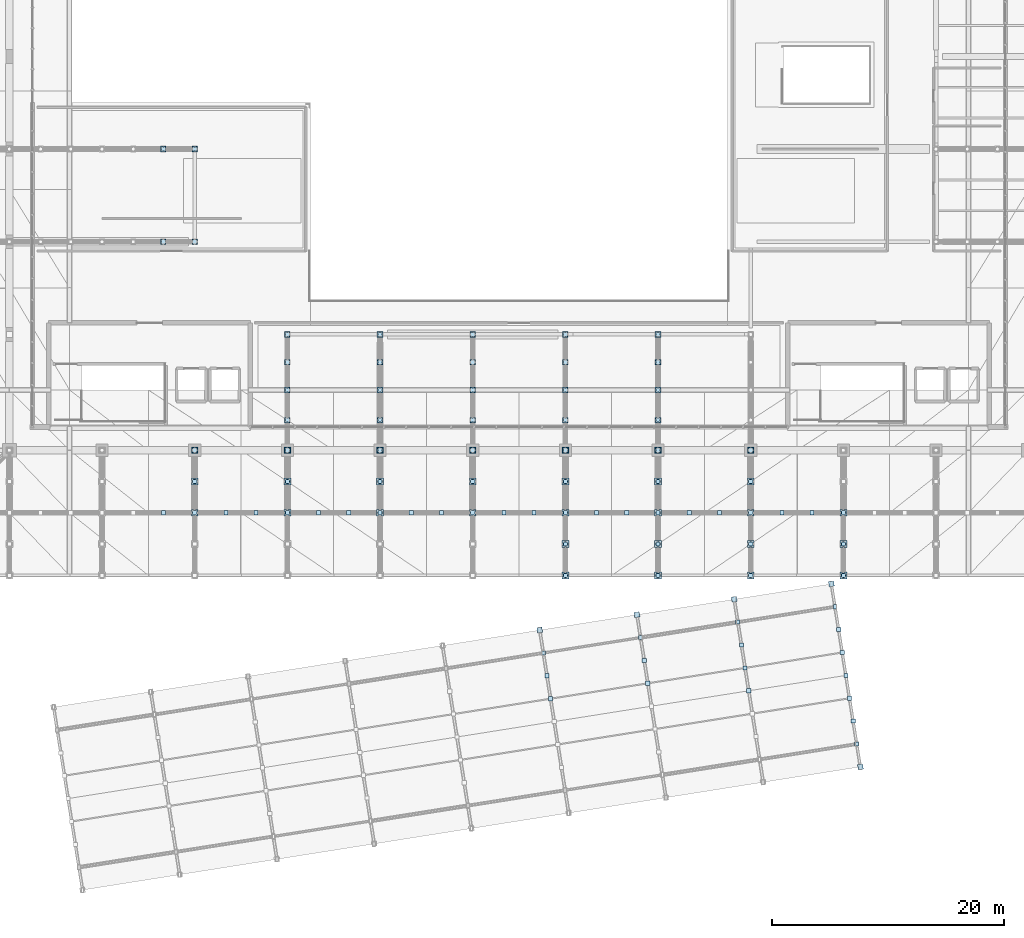
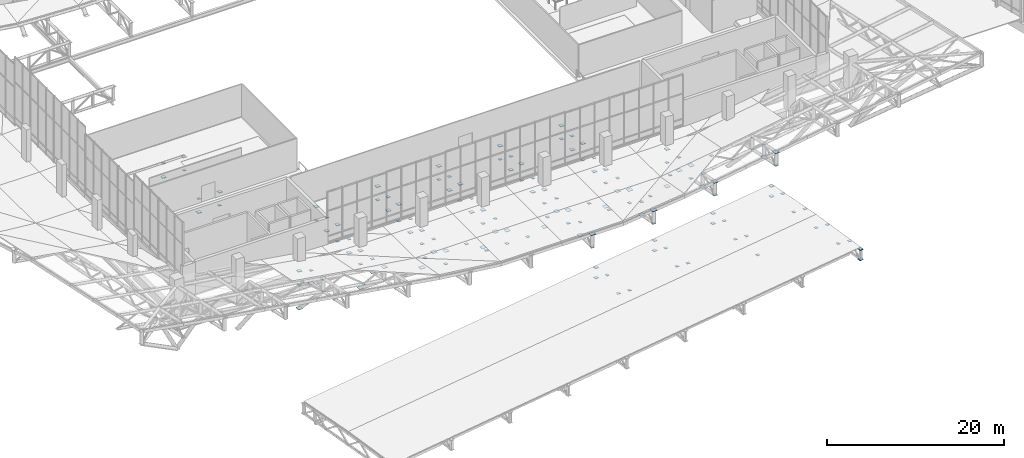
# One storey, part 115 of 137: 157 plates.
"""IFC4 building model written with IfcOpenShell, lengths in metres."""

from ifc_helpers import new_model, si_unit, direction, frame, origin, origin_2d, place, context, subcontext, project, spatial, rectangle, extrude, material, layer, layer_set, type_object, element, save


model = new_model("IFC4")

# Units and contexts
model_context = context("Model", 3, precision=1e-05, world=origin(), true_north=direction((0.0, 1.0)))
body_context = subcontext(model_context, "Body", "Model", "MODEL_VIEW")
ifc_project = project(units=[si_unit("LENGTHUNIT", "METRE"), si_unit("AREAUNIT", "SQUARE_METRE"), si_unit("VOLUMEUNIT", "CUBIC_METRE"), si_unit("PLANEANGLEUNIT", "RADIAN"), si_unit("MASSUNIT", "GRAM", prefix="KILO")], contexts=[model_context])

# Site, building, storey
site_placement = place(None, origin())
site = spatial("IfcSite", under=ifc_project, at=site_placement, CompositionType="ELEMENT")
building_placement = place(site_placement, origin())
building = spatial("IfcBuilding", under=site, at=building_placement, Name="Khorjan Park Terminus", CompositionType="ELEMENT")
storey_placement = place(building_placement, frame((0.0, 0.0, 11.4)))
storey = spatial("IfcBuildingStorey", under=building, at=storey_placement, Name="L02", CompositionType="ELEMENT", Elevation=11.4)

# Plates
ifc_material = material(Name="Steel S355", Category="steel")
ifc_layer_1 = layer(ifc_material, 0.02)
ifc_layer_set_1 = layer_set([ifc_layer_1], Name="Steel S355")
plate_type_1 = type_object("IfcPlateType", Name="PT-CAPE-20", PredefinedType="SHEET", material=ifc_layer_set_1)
for number, where, z_axis, x_axis, name in (
    (1, (93.7867, 10.4761, -2.01), (0.0, 0.0, 1.0), (0.987688340595, 0.15643446504, 0.0), "Steel truss node cap plate NPE-20 (RC2-NP-V3-T06-NB)"),
    (2, (93.7867, 10.4761, -0.61), (0.0, 0.0, 1.0), (0.987688340595, 0.15643446504, 0.0), "Steel truss node cap plate NPE-20 (RC2-NP-V3-T06-NT)"),
    (3, (102.182, 11.8058, -2.01), (0.0, 0.0, 1.0), (0.987688340595, 0.15643446504, 0.0), "Steel truss node cap plate NPE-20 (RC2-NP-V3-T07-NB)"),
    (4, (102.182, 11.8058, -0.61), (0.0, 0.0, 1.0), (0.987688340595, 0.15643446504, 0.0), "Steel truss node cap plate NPE-20 (RC2-NP-V3-T07-NT)"),
    (5, (110.5774, 13.1355, -2.01), (0.0, 0.0, 1.0), (0.987688340595, 0.15643446504, 0.0), "Steel truss node cap plate NPE-20 (RC2-NP-V3-T08-NB)"),
    (6, (110.5774, 13.1355, -0.61), (0.0, 0.0, 1.0), (0.987688340595, 0.15643446504, 0.0), "Steel truss node cap plate NPE-20 (RC2-NP-V3-T08-NT)"),
    (7, (121.4757, -1.3378, -2.01), (0.0, 0.0, 1.0), (0.987688340595, 0.15643446504, 0.0), "Steel truss node cap plate NPE-20 (RC2-NP-V3-T09-SB)"),
    (8, (121.4757, -1.3378, -0.61), (0.0, 0.0, 1.0), (0.987688340595, 0.15643446504, 0.0), "Steel truss node cap plate NPE-20 (RC2-NP-V3-T09-ST)"),
    (9, (118.9727, 14.4652, -2.01), (0.0, 0.0, 1.0), (0.987688340595, 0.15643446504, 0.0), "Steel truss node cap plate NPE-20 (RC2-NP-V3-T09-NB)"),
    (10, (118.9727, 14.4652, -0.61), (0.0, 0.0, 1.0), (0.987688340595, 0.15643446504, 0.0), "Steel truss node cap plate NPE-20 (RC2-NP-V3-T09-NT)"),
):
    element("IfcPlate", number, at=place(storey_placement, frame(where, z_axis=z_axis, x_axis=x_axis)), inside=storey, type_object=plate_type_1, Name=name, PredefinedType="SHEET", context=body_context, shape_type="SweptSolid", body=[
        extrude(rectangle(XDim=0.45, YDim=0.45, at=origin_2d()), origin(), (0.0, 0.0, 1.0), 0.02),
    ])
ifc_layer_2 = layer(ifc_material, 0.022)
ifc_layer_set_2 = layer_set([ifc_layer_2], Name="Steel S355")
plate_type_2 = type_object("IfcPlateType", Name="PT-GUS-22", PredefinedType="SHEET", material=ifc_layer_set_2)
plate_placement = place(storey_placement, frame((64.0, 26.0, -0.061), z_axis=(0.0, 0.0, 1.0), x_axis=(1.0, 0.0, 0.0)))
element("IfcPlate", 11, at=plate_placement, inside=storey, type_object=plate_type_2, Name="Steel truss node cap plate NP-22 (RC2-GUS-END-0549)", PredefinedType="SHEET", context=body_context, shape_type="SweptSolid", body=[
    extrude(rectangle(XDim=0.49, YDim=0.49, at=origin_2d()), origin(), (0.0, 0.0, 1.0), 0.022),
])
for number, where, z_axis, x_axis, name in (
    (12, (72.0, 28.6, -0.061), (0.0, 0.0, 1.0), (1.0, 0.0, 0.0), "Steel truss node cap plate NP-22 (RC2-GUS-END-0575)"),
    (13, (72.0, 31.2, -1.931), (0.0, 0.0, 1.0), (1.0, 0.0, 0.0), "Steel truss node cap plate NP-22 (RC2-GUS-END-0576)"),
    (14, (72.0, 33.6, -0.061), (0.0, 0.0, 1.0), (1.0, 0.0, 0.0), "Steel truss node cap plate NP-22 (RC2-GUS-END-0577)"),
    (15, (72.0, 36.0, -1.931), (0.0, 0.0, 1.0), (1.0, 0.0, 0.0), "Steel truss node cap plate NP-22 (RC2-GUS-END-0578)"),
):
    element("IfcPlate", number, at=place(storey_placement, frame(where, z_axis=z_axis, x_axis=x_axis)), inside=storey, type_object=plate_type_2, Name=name, PredefinedType="SHEET", context=body_context, shape_type="SweptSolid", body=[
        extrude(rectangle(XDim=0.36, YDim=0.36, at=origin_2d()), origin(), (0.0, 0.0, 1.0), 0.022),
    ])
for number, where, z_axis, x_axis, name in (
    (16, (72.0, 26.0, -0.061), (0.0, 0.0, 1.0), (1.0, 0.0, 0.0), "Steel truss node cap plate NP-22 (RC2-GUS-END-0583)"),
    (17, (72.0, 28.6, -1.931), (0.0, 0.0, 1.0), (1.0, 0.0, 0.0), "Steel truss node cap plate NP-22 (RC2-GUS-END-0584)"),
    (18, (72.0, 31.2, 0.381), (0.0, 0.0, 1.0), (1.0, 0.0, 0.0), "Steel truss node cap plate NP-22 (RC2-GUS-END-0585)"),
    (19, (72.0, 33.6, -1.931), (0.0, 0.0, 1.0), (1.0, 0.0, 0.0), "Steel truss node cap plate NP-22 (RC2-GUS-END-0586)"),
    (20, (72.0, 36.0, -0.061), (0.0, 0.0, 1.0), (1.0, 0.0, 0.0), "Steel truss node cap plate NP-22 (RC2-GUS-END-0587)"),
):
    element("IfcPlate", number, at=place(storey_placement, frame(where, z_axis=z_axis, x_axis=x_axis)), inside=storey, type_object=plate_type_2, Name=name, PredefinedType="SHEET", context=body_context, shape_type="SweptSolid", body=[
        extrude(rectangle(XDim=0.49, YDim=0.49, at=origin_2d()), origin(), (0.0, 0.0, 1.0), 0.022),
    ])
for number, where, z_axis, x_axis, name in (
    (21, (80.0, 28.6, -0.061), (0.0, 0.0, 1.0), (1.0, 0.0, 0.0), "Steel truss node cap plate NP-22 (RC2-GUS-END-0613)"),
    (22, (80.0, 31.2, -1.931), (0.0, 0.0, 1.0), (1.0, 0.0, 0.0), "Steel truss node cap plate NP-22 (RC2-GUS-END-0614)"),
    (23, (80.0, 33.6, -0.061), (0.0, 0.0, 1.0), (1.0, 0.0, 0.0), "Steel truss node cap plate NP-22 (RC2-GUS-END-0615)"),
    (24, (80.0, 36.0, -1.931), (0.0, 0.0, 1.0), (1.0, 0.0, 0.0), "Steel truss node cap plate NP-22 (RC2-GUS-END-0616)"),
):
    element("IfcPlate", number, at=place(storey_placement, frame(where, z_axis=z_axis, x_axis=x_axis)), inside=storey, type_object=plate_type_2, Name=name, PredefinedType="SHEET", context=body_context, shape_type="SweptSolid", body=[
        extrude(rectangle(XDim=0.36, YDim=0.36, at=origin_2d()), origin(), (0.0, 0.0, 1.0), 0.022),
    ])
for number, where, z_axis, x_axis, name in (
    (25, (80.0, 26.0, -0.061), (0.0, 0.0, 1.0), (1.0, 0.0, 0.0), "Steel truss node cap plate NP-22 (RC2-GUS-END-0621)"),
    (26, (80.0, 28.6, -1.931), (0.0, 0.0, 1.0), (1.0, 0.0, 0.0), "Steel truss node cap plate NP-22 (RC2-GUS-END-0622)"),
    (27, (80.0, 31.2, 0.381), (0.0, 0.0, 1.0), (1.0, 0.0, 0.0), "Steel truss node cap plate NP-22 (RC2-GUS-END-0623)"),
    (28, (80.0, 33.6, -1.931), (0.0, 0.0, 1.0), (1.0, 0.0, 0.0), "Steel truss node cap plate NP-22 (RC2-GUS-END-0624)"),
    (29, (80.0, 36.0, -0.061), (0.0, 0.0, 1.0), (1.0, 0.0, 0.0), "Steel truss node cap plate NP-22 (RC2-GUS-END-0625)"),
):
    element("IfcPlate", number, at=place(storey_placement, frame(where, z_axis=z_axis, x_axis=x_axis)), inside=storey, type_object=plate_type_2, Name=name, PredefinedType="SHEET", context=body_context, shape_type="SweptSolid", body=[
        extrude(rectangle(XDim=0.49, YDim=0.49, at=origin_2d()), origin(), (0.0, 0.0, 1.0), 0.022),
    ])
for number, where, z_axis, x_axis, name in (
    (30, (88.0, 28.6, -0.061), (0.0, 0.0, 1.0), (1.0, 0.0, 0.0), "Steel truss node cap plate NP-22 (RC2-GUS-END-0651)"),
    (31, (88.0, 31.2, -1.931), (0.0, 0.0, 1.0), (1.0, 0.0, 0.0), "Steel truss node cap plate NP-22 (RC2-GUS-END-0652)"),
    (32, (88.0, 33.6, -0.061), (0.0, 0.0, 1.0), (1.0, 0.0, 0.0), "Steel truss node cap plate NP-22 (RC2-GUS-END-0653)"),
    (33, (88.0, 36.0, -1.931), (0.0, 0.0, 1.0), (1.0, 0.0, 0.0), "Steel truss node cap plate NP-22 (RC2-GUS-END-0654)"),
):
    element("IfcPlate", number, at=place(storey_placement, frame(where, z_axis=z_axis, x_axis=x_axis)), inside=storey, type_object=plate_type_2, Name=name, PredefinedType="SHEET", context=body_context, shape_type="SweptSolid", body=[
        extrude(rectangle(XDim=0.36, YDim=0.36, at=origin_2d()), origin(), (0.0, 0.0, 1.0), 0.022),
    ])
for number, where, z_axis, x_axis, name in (
    (34, (88.0, 26.0, -0.061), (0.0, 0.0, 1.0), (1.0, 0.0, 0.0), "Steel truss node cap plate NP-22 (RC2-GUS-END-0659)"),
    (35, (88.0, 28.6, -1.931), (0.0, 0.0, 1.0), (1.0, 0.0, 0.0), "Steel truss node cap plate NP-22 (RC2-GUS-END-0660)"),
    (36, (88.0, 31.2, 0.381), (0.0, 0.0, 1.0), (1.0, 0.0, 0.0), "Steel truss node cap plate NP-22 (RC2-GUS-END-0661)"),
    (37, (88.0, 33.6, -1.931), (0.0, 0.0, 1.0), (1.0, 0.0, 0.0), "Steel truss node cap plate NP-22 (RC2-GUS-END-0662)"),
    (38, (88.0, 36.0, -0.061), (0.0, 0.0, 1.0), (1.0, 0.0, 0.0), "Steel truss node cap plate NP-22 (RC2-GUS-END-0663)"),
):
    element("IfcPlate", number, at=place(storey_placement, frame(where, z_axis=z_axis, x_axis=x_axis)), inside=storey, type_object=plate_type_2, Name=name, PredefinedType="SHEET", context=body_context, shape_type="SweptSolid", body=[
        extrude(rectangle(XDim=0.49, YDim=0.49, at=origin_2d()), origin(), (0.0, 0.0, 1.0), 0.022),
    ])
for number, where, z_axis, x_axis, name in (
    (39, (96.0, 28.6, -0.061), (0.0, 0.0, 1.0), (1.0, 0.0, 0.0), "Steel truss node cap plate NP-22 (RC2-GUS-END-0689)"),
    (40, (96.0, 31.2, -1.931), (0.0, 0.0, 1.0), (1.0, 0.0, 0.0), "Steel truss node cap plate NP-22 (RC2-GUS-END-0690)"),
    (41, (96.0, 33.6, -0.061), (0.0, 0.0, 1.0), (1.0, 0.0, 0.0), "Steel truss node cap plate NP-22 (RC2-GUS-END-0691)"),
    (42, (96.0, 36.0, -1.931), (0.0, 0.0, 1.0), (1.0, 0.0, 0.0), "Steel truss node cap plate NP-22 (RC2-GUS-END-0692)"),
):
    element("IfcPlate", number, at=place(storey_placement, frame(where, z_axis=z_axis, x_axis=x_axis)), inside=storey, type_object=plate_type_2, Name=name, PredefinedType="SHEET", context=body_context, shape_type="SweptSolid", body=[
        extrude(rectangle(XDim=0.36, YDim=0.36, at=origin_2d()), origin(), (0.0, 0.0, 1.0), 0.022),
    ])
for number, where, z_axis, x_axis, name in (
    (43, (96.0, 26.0, -0.061), (0.0, 0.0, 1.0), (1.0, 0.0, 0.0), "Steel truss node cap plate NP-22 (RC2-GUS-END-0697)"),
    (44, (96.0, 28.6, -1.931), (0.0, 0.0, 1.0), (1.0, 0.0, 0.0), "Steel truss node cap plate NP-22 (RC2-GUS-END-0698)"),
    (45, (96.0, 31.2, 0.381), (0.0, 0.0, 1.0), (1.0, 0.0, 0.0), "Steel truss node cap plate NP-22 (RC2-GUS-END-0699)"),
    (46, (96.0, 33.6, -1.931), (0.0, 0.0, 1.0), (1.0, 0.0, 0.0), "Steel truss node cap plate NP-22 (RC2-GUS-END-0700)"),
    (47, (96.0, 36.0, -0.061), (0.0, 0.0, 1.0), (1.0, 0.0, 0.0), "Steel truss node cap plate NP-22 (RC2-GUS-END-0701)"),
):
    element("IfcPlate", number, at=place(storey_placement, frame(where, z_axis=z_axis, x_axis=x_axis)), inside=storey, type_object=plate_type_2, Name=name, PredefinedType="SHEET", context=body_context, shape_type="SweptSolid", body=[
        extrude(rectangle(XDim=0.49, YDim=0.49, at=origin_2d()), origin(), (0.0, 0.0, 1.0), 0.022),
    ])
for number, where, z_axis, x_axis, name in (
    (48, (104.0, 28.6, -0.061), (0.0, 0.0, 1.0), (1.0, 0.0, 0.0), "Steel truss node cap plate NP-22 (RC2-GUS-END-0727)"),
    (49, (104.0, 31.2, -1.931), (0.0, 0.0, 1.0), (1.0, 0.0, 0.0), "Steel truss node cap plate NP-22 (RC2-GUS-END-0728)"),
    (50, (104.0, 33.6, -0.061), (0.0, 0.0, 1.0), (1.0, 0.0, 0.0), "Steel truss node cap plate NP-22 (RC2-GUS-END-0729)"),
    (51, (104.0, 36.0, -1.931), (0.0, 0.0, 1.0), (1.0, 0.0, 0.0), "Steel truss node cap plate NP-22 (RC2-GUS-END-0730)"),
):
    element("IfcPlate", number, at=place(storey_placement, frame(where, z_axis=z_axis, x_axis=x_axis)), inside=storey, type_object=plate_type_2, Name=name, PredefinedType="SHEET", context=body_context, shape_type="SweptSolid", body=[
        extrude(rectangle(XDim=0.36, YDim=0.36, at=origin_2d()), origin(), (0.0, 0.0, 1.0), 0.022),
    ])
for number, where, z_axis, x_axis, name in (
    (52, (104.0, 26.0, -0.061), (0.0, 0.0, 1.0), (1.0, 0.0, 0.0), "Steel truss node cap plate NP-22 (RC2-GUS-END-0735)"),
    (53, (104.0, 28.6, -1.931), (0.0, 0.0, 1.0), (1.0, 0.0, 0.0), "Steel truss node cap plate NP-22 (RC2-GUS-END-0736)"),
    (54, (104.0, 31.2, 0.381), (0.0, 0.0, 1.0), (1.0, 0.0, 0.0), "Steel truss node cap plate NP-22 (RC2-GUS-END-0737)"),
    (55, (104.0, 33.6, -1.931), (0.0, 0.0, 1.0), (1.0, 0.0, 0.0), "Steel truss node cap plate NP-22 (RC2-GUS-END-0738)"),
    (56, (104.0, 36.0, -0.061), (0.0, 0.0, 1.0), (1.0, 0.0, 0.0), "Steel truss node cap plate NP-22 (RC2-GUS-END-0739)"),
    (57, (112.0, 26.0, -0.061), (0.0, 0.0, 1.0), (1.0, 0.0, 0.0), "Steel truss node cap plate NP-22 (RC2-GUS-END-0773)"),
):
    element("IfcPlate", number, at=place(storey_placement, frame(where, z_axis=z_axis, x_axis=x_axis)), inside=storey, type_object=plate_type_2, Name=name, PredefinedType="SHEET", context=body_context, shape_type="SweptSolid", body=[
        extrude(rectangle(XDim=0.49, YDim=0.49, at=origin_2d()), origin(), (0.0, 0.0, 1.0), 0.022),
    ])
for number, where, z_axis, x_axis, name in (
    (58, (61.3, 44.0, -0.061), (0.0, 0.0, 1.0), (1.0, 0.0, 0.0), "Steel truss node cap plate NP-22 (RC2-GUS-END-0949)"),
    (59, (64.0, 44.0, -1.931), (0.0, 0.0, 1.0), (1.0, 0.0, 0.0), "Steel truss node cap plate NP-22 (RC2-GUS-END-0950)"),
):
    element("IfcPlate", number, at=place(storey_placement, frame(where, z_axis=z_axis, x_axis=x_axis)), inside=storey, type_object=plate_type_2, Name=name, PredefinedType="SHEET", context=body_context, shape_type="SweptSolid", body=[
        extrude(rectangle(XDim=0.36, YDim=0.36, at=origin_2d()), origin(), (0.0, 0.0, 1.0), 0.022),
    ])
for number, where, z_axis, x_axis, name in (
    (60, (61.3, 44.0, -1.931), (0.0, 0.0, 1.0), (1.0, 0.0, 0.0), "Steel truss node cap plate NP-22 (RC2-GUS-END-0960)"),
    (61, (64.0, 44.0, -0.061), (0.0, 0.0, 1.0), (1.0, 0.0, 0.0), "Steel truss node cap plate NP-22 (RC2-GUS-END-0961)"),
):
    element("IfcPlate", number, at=place(storey_placement, frame(where, z_axis=z_axis, x_axis=x_axis)), inside=storey, type_object=plate_type_2, Name=name, PredefinedType="SHEET", context=body_context, shape_type="SweptSolid", body=[
        extrude(rectangle(XDim=0.49, YDim=0.49, at=origin_2d()), origin(), (0.0, 0.0, 1.0), 0.022),
    ])
for number, where, z_axis, x_axis, name in (
    (62, (61.3, 52.0, -0.061), (0.0, 0.0, 1.0), (1.0, 0.0, 0.0), "Steel truss node cap plate NP-22 (RC2-GUS-END-0989)"),
    (63, (64.0, 52.0, -1.931), (0.0, 0.0, 1.0), (1.0, 0.0, 0.0), "Steel truss node cap plate NP-22 (RC2-GUS-END-0990)"),
):
    element("IfcPlate", number, at=place(storey_placement, frame(where, z_axis=z_axis, x_axis=x_axis)), inside=storey, type_object=plate_type_2, Name=name, PredefinedType="SHEET", context=body_context, shape_type="SweptSolid", body=[
        extrude(rectangle(XDim=0.36, YDim=0.36, at=origin_2d()), origin(), (0.0, 0.0, 1.0), 0.022),
    ])
for number, where, z_axis, x_axis, name in (
    (64, (61.3, 52.0, -1.931), (0.0, 0.0, 1.0), (1.0, 0.0, 0.0), "Steel truss node cap plate NP-22 (RC2-GUS-END-1000)"),
    (65, (64.0, 52.0, -0.061), (0.0, 0.0, 1.0), (1.0, 0.0, 0.0), "Steel truss node cap plate NP-22 (RC2-GUS-END-1001)"),
):
    element("IfcPlate", number, at=place(storey_placement, frame(where, z_axis=z_axis, x_axis=x_axis)), inside=storey, type_object=plate_type_2, Name=name, PredefinedType="SHEET", context=body_context, shape_type="SweptSolid", body=[
        extrude(rectangle(XDim=0.49, YDim=0.49, at=origin_2d()), origin(), (0.0, 0.0, 1.0), 0.022),
    ])
ifc_layer_3 = layer(ifc_material, 0.025)
ifc_layer_set_3 = layer_set([ifc_layer_3], Name="Steel S355")
plate_type_3 = type_object("IfcPlateType", Name="PT-GUSE-25", PredefinedType="SHEET", material=ifc_layer_set_3)
for number, where, z_axis, x_axis, name in (
    (66, (64.0, 20.6, 0.3813), (0.0, 0.0, 1.0), (1.0, 0.0, 0.0), "Steel truss node cap plate NPE-25 (RC2-GUS-END-0542)"),
    (67, (64.0, 23.3, 1.6398), (0.0, 0.0, 1.0), (1.0, 0.0, 0.0), "Steel truss node cap plate NPE-25 (RC2-GUS-END-0543)"),
    (68, (64.0, 26.0, -1.9325), (0.0, 0.0, 1.0), (1.0, 0.0, 0.0), "Steel truss node cap plate NPE-25 (RC2-GUS-END-0544)"),
):
    element("IfcPlate", number, at=place(storey_placement, frame(where, z_axis=z_axis, x_axis=x_axis)), inside=storey, type_object=plate_type_3, Name=name, PredefinedType="SHEET", context=body_context, shape_type="SweptSolid", body=[
        extrude(rectangle(XDim=0.36, YDim=0.36, at=origin_2d()), origin(), (0.0, 0.0, 1.0), 0.025),
    ])
for number, where, z_axis, x_axis, name in (
    (69, (64.0, 20.6, 2.1813), (0.0, 0.0, 1.0), (1.0, 0.0, 0.0), "Steel truss node cap plate NPE-25 (RC2-GUS-END-0547)"),
    (70, (64.0, 23.3, -0.1602), (0.0, 0.0, 1.0), (1.0, 0.0, 0.0), "Steel truss node cap plate NPE-25 (RC2-GUS-END-0548)"),
    (71, (64.0, 26.0, -5.2125), (0.0, 0.0, 1.0), (1.0, 0.0, 0.0), "Steel truss node cap plate NPE-25 (RC2-GUS-END-0550)"),
):
    element("IfcPlate", number, at=place(storey_placement, frame(where, z_axis=z_axis, x_axis=x_axis)), inside=storey, type_object=plate_type_3, Name=name, PredefinedType="SHEET", context=body_context, shape_type="SweptSolid", body=[
        extrude(rectangle(XDim=0.59, YDim=0.59, at=origin_2d()), origin(), (0.0, 0.0, 1.0), 0.025),
    ])
for number, where, z_axis, x_axis, name in (
    (72, (72.0, 20.6, -0.8402), (0.0, 0.0, 1.0), (1.0, 0.0, 0.0), "Steel truss node cap plate NPE-25 (RC2-GUS-END-0572)"),
    (73, (72.0, 23.3, 0.4183), (0.0, 0.0, 1.0), (1.0, 0.0, 0.0), "Steel truss node cap plate NPE-25 (RC2-GUS-END-0573)"),
    (74, (72.0, 26.0, -1.9325), (0.0, 0.0, 1.0), (1.0, 0.0, 0.0), "Steel truss node cap plate NPE-25 (RC2-GUS-END-0574)"),
):
    element("IfcPlate", number, at=place(storey_placement, frame(where, z_axis=z_axis, x_axis=x_axis)), inside=storey, type_object=plate_type_3, Name=name, PredefinedType="SHEET", context=body_context, shape_type="SweptSolid", body=[
        extrude(rectangle(XDim=0.36, YDim=0.36, at=origin_2d()), origin(), (0.0, 0.0, 1.0), 0.025),
    ])
for number, where, z_axis, x_axis, name in (
    (75, (72.0, 20.6, 0.9598), (0.0, 0.0, 1.0), (1.0, 0.0, 0.0), "Steel truss node cap plate NPE-25 (RC2-GUS-END-0581)"),
    (76, (72.0, 23.3, -1.3817), (0.0, 0.0, 1.0), (1.0, 0.0, 0.0), "Steel truss node cap plate NPE-25 (RC2-GUS-END-0582)"),
    (77, (72.0, 26.0, -5.2125), (0.0, 0.0, 1.0), (1.0, 0.0, 0.0), "Steel truss node cap plate NPE-25 (RC2-GUS-END-0588)"),
):
    element("IfcPlate", number, at=place(storey_placement, frame(where, z_axis=z_axis, x_axis=x_axis)), inside=storey, type_object=plate_type_3, Name=name, PredefinedType="SHEET", context=body_context, shape_type="SweptSolid", body=[
        extrude(rectangle(XDim=0.59, YDim=0.59, at=origin_2d()), origin(), (0.0, 0.0, 1.0), 0.025),
    ])
for number, where, z_axis, x_axis, name in (
    (78, (80.0, 20.6, -1.4205), (0.0, 0.0, 1.0), (1.0, 0.0, 0.0), "Steel truss node cap plate NPE-25 (RC2-GUS-END-0610)"),
    (79, (80.0, 23.3, 0.3795), (0.0, 0.0, 1.0), (1.0, 0.0, 0.0), "Steel truss node cap plate NPE-25 (RC2-GUS-END-0611)"),
    (80, (80.0, 26.0, -1.9325), (0.0, 0.0, 1.0), (1.0, 0.0, 0.0), "Steel truss node cap plate NPE-25 (RC2-GUS-END-0612)"),
):
    element("IfcPlate", number, at=place(storey_placement, frame(where, z_axis=z_axis, x_axis=x_axis)), inside=storey, type_object=plate_type_3, Name=name, PredefinedType="SHEET", context=body_context, shape_type="SweptSolid", body=[
        extrude(rectangle(XDim=0.36, YDim=0.36, at=origin_2d()), origin(), (0.0, 0.0, 1.0), 0.025),
    ])
for number, where, z_axis, x_axis, name in (
    (81, (80.0, 20.6, 0.3795), (0.0, 0.0, 1.0), (1.0, 0.0, 0.0), "Steel truss node cap plate NPE-25 (RC2-GUS-END-0619)"),
    (82, (80.0, 23.3, -1.4205), (0.0, 0.0, 1.0), (1.0, 0.0, 0.0), "Steel truss node cap plate NPE-25 (RC2-GUS-END-0620)"),
    (83, (80.0, 26.0, -5.2125), (0.0, 0.0, 1.0), (1.0, 0.0, 0.0), "Steel truss node cap plate NPE-25 (RC2-GUS-END-0626)"),
):
    element("IfcPlate", number, at=place(storey_placement, frame(where, z_axis=z_axis, x_axis=x_axis)), inside=storey, type_object=plate_type_3, Name=name, PredefinedType="SHEET", context=body_context, shape_type="SweptSolid", body=[
        extrude(rectangle(XDim=0.59, YDim=0.59, at=origin_2d()), origin(), (0.0, 0.0, 1.0), 0.025),
    ])
for number, where, z_axis, x_axis, name in (
    (84, (88.0, 20.6, -1.4205), (0.0, 0.0, 1.0), (1.0, 0.0, 0.0), "Steel truss node cap plate NPE-25 (RC2-GUS-END-0648)"),
    (85, (88.0, 23.3, 0.3795), (0.0, 0.0, 1.0), (1.0, 0.0, 0.0), "Steel truss node cap plate NPE-25 (RC2-GUS-END-0649)"),
    (86, (88.0, 26.0, -1.9325), (0.0, 0.0, 1.0), (1.0, 0.0, 0.0), "Steel truss node cap plate NPE-25 (RC2-GUS-END-0650)"),
):
    element("IfcPlate", number, at=place(storey_placement, frame(where, z_axis=z_axis, x_axis=x_axis)), inside=storey, type_object=plate_type_3, Name=name, PredefinedType="SHEET", context=body_context, shape_type="SweptSolid", body=[
        extrude(rectangle(XDim=0.36, YDim=0.36, at=origin_2d()), origin(), (0.0, 0.0, 1.0), 0.025),
    ])
for number, where, z_axis, x_axis, name in (
    (87, (88.0, 20.6, 0.3795), (0.0, 0.0, 1.0), (1.0, 0.0, 0.0), "Steel truss node cap plate NPE-25 (RC2-GUS-END-0657)"),
    (88, (88.0, 23.3, -1.4205), (0.0, 0.0, 1.0), (1.0, 0.0, 0.0), "Steel truss node cap plate NPE-25 (RC2-GUS-END-0658)"),
    (89, (88.0, 26.0, -5.2125), (0.0, 0.0, 1.0), (1.0, 0.0, 0.0), "Steel truss node cap plate NPE-25 (RC2-GUS-END-0664)"),
):
    element("IfcPlate", number, at=place(storey_placement, frame(where, z_axis=z_axis, x_axis=x_axis)), inside=storey, type_object=plate_type_3, Name=name, PredefinedType="SHEET", context=body_context, shape_type="SweptSolid", body=[
        extrude(rectangle(XDim=0.59, YDim=0.59, at=origin_2d()), origin(), (0.0, 0.0, 1.0), 0.025),
    ])
for number, where, z_axis, x_axis, name in (
    (90, (96.0, 15.2, -1.4205), (0.0, 0.0, 1.0), (1.0, 0.0, 0.0), "Steel truss node cap plate NPE-25 (RC2-GUS-END-0684)"),
    (91, (96.0, 17.9, 0.3795), (0.0, 0.0, 1.0), (1.0, 0.0, 0.0), "Steel truss node cap plate NPE-25 (RC2-GUS-END-0685)"),
    (92, (96.0, 20.6, -1.4205), (0.0, 0.0, 1.0), (1.0, 0.0, 0.0), "Steel truss node cap plate NPE-25 (RC2-GUS-END-0686)"),
    (93, (96.0, 23.3, 0.3795), (0.0, 0.0, 1.0), (1.0, 0.0, 0.0), "Steel truss node cap plate NPE-25 (RC2-GUS-END-0687)"),
    (94, (96.0, 26.0, -1.9325), (0.0, 0.0, 1.0), (1.0, 0.0, 0.0), "Steel truss node cap plate NPE-25 (RC2-GUS-END-0688)"),
):
    element("IfcPlate", number, at=place(storey_placement, frame(where, z_axis=z_axis, x_axis=x_axis)), inside=storey, type_object=plate_type_3, Name=name, PredefinedType="SHEET", context=body_context, shape_type="SweptSolid", body=[
        extrude(rectangle(XDim=0.36, YDim=0.36, at=origin_2d()), origin(), (0.0, 0.0, 1.0), 0.025),
    ])
for number, where, z_axis, x_axis, name in (
    (95, (96.0, 15.2, 0.3795), (0.0, 0.0, 1.0), (1.0, 0.0, 0.0), "Steel truss node cap plate NPE-25 (RC2-GUS-END-0693)"),
    (96, (96.0, 17.9, -1.4205), (0.0, 0.0, 1.0), (1.0, 0.0, 0.0), "Steel truss node cap plate NPE-25 (RC2-GUS-END-0694)"),
    (97, (96.0, 20.6, 0.3795), (0.0, 0.0, 1.0), (1.0, 0.0, 0.0), "Steel truss node cap plate NPE-25 (RC2-GUS-END-0695)"),
    (98, (96.0, 23.3, -1.4205), (0.0, 0.0, 1.0), (1.0, 0.0, 0.0), "Steel truss node cap plate NPE-25 (RC2-GUS-END-0696)"),
    (99, (96.0, 26.0, -5.2125), (0.0, 0.0, 1.0), (1.0, 0.0, 0.0), "Steel truss node cap plate NPE-25 (RC2-GUS-END-0702)"),
):
    element("IfcPlate", number, at=place(storey_placement, frame(where, z_axis=z_axis, x_axis=x_axis)), inside=storey, type_object=plate_type_3, Name=name, PredefinedType="SHEET", context=body_context, shape_type="SweptSolid", body=[
        extrude(rectangle(XDim=0.59, YDim=0.59, at=origin_2d()), origin(), (0.0, 0.0, 1.0), 0.025),
    ])
for number, where, z_axis, x_axis, name in (
    (100, (104.0, 15.2, -0.9397), (0.0, 0.0, 1.0), (1.0, 0.0, 0.0), "Steel truss node cap plate NPE-25 (RC2-GUS-END-0722)"),
    (101, (104.0, 17.9, 0.3795), (0.0, 0.0, 1.0), (1.0, 0.0, 0.0), "Steel truss node cap plate NPE-25 (RC2-GUS-END-0723)"),
    (102, (104.0, 20.6, -1.4205), (0.0, 0.0, 1.0), (1.0, 0.0, 0.0), "Steel truss node cap plate NPE-25 (RC2-GUS-END-0724)"),
    (103, (104.0, 23.3, 0.3795), (0.0, 0.0, 1.0), (1.0, 0.0, 0.0), "Steel truss node cap plate NPE-25 (RC2-GUS-END-0725)"),
    (104, (104.0, 26.0, -1.9325), (0.0, 0.0, 1.0), (1.0, 0.0, 0.0), "Steel truss node cap plate NPE-25 (RC2-GUS-END-0726)"),
):
    element("IfcPlate", number, at=place(storey_placement, frame(where, z_axis=z_axis, x_axis=x_axis)), inside=storey, type_object=plate_type_3, Name=name, PredefinedType="SHEET", context=body_context, shape_type="SweptSolid", body=[
        extrude(rectangle(XDim=0.36, YDim=0.36, at=origin_2d()), origin(), (0.0, 0.0, 1.0), 0.025),
    ])
for number, where, z_axis, x_axis, name in (
    (105, (104.0, 15.2, 0.8603), (0.0, 0.0, 1.0), (1.0, 0.0, 0.0), "Steel truss node cap plate NPE-25 (RC2-GUS-END-0731)"),
    (106, (104.0, 17.9, -1.4205), (0.0, 0.0, 1.0), (1.0, 0.0, 0.0), "Steel truss node cap plate NPE-25 (RC2-GUS-END-0732)"),
    (107, (104.0, 20.6, 0.3795), (0.0, 0.0, 1.0), (1.0, 0.0, 0.0), "Steel truss node cap plate NPE-25 (RC2-GUS-END-0733)"),
    (108, (104.0, 23.3, -1.4205), (0.0, 0.0, 1.0), (1.0, 0.0, 0.0), "Steel truss node cap plate NPE-25 (RC2-GUS-END-0734)"),
    (109, (104.0, 26.0, -5.2125), (0.0, 0.0, 1.0), (1.0, 0.0, 0.0), "Steel truss node cap plate NPE-25 (RC2-GUS-END-0740)"),
):
    element("IfcPlate", number, at=place(storey_placement, frame(where, z_axis=z_axis, x_axis=x_axis)), inside=storey, type_object=plate_type_3, Name=name, PredefinedType="SHEET", context=body_context, shape_type="SweptSolid", body=[
        extrude(rectangle(XDim=0.59, YDim=0.59, at=origin_2d()), origin(), (0.0, 0.0, 1.0), 0.025),
    ])
for number, where, z_axis, x_axis, name in (
    (110, (112.0, 15.2, 0.1822), (0.0, 0.0, 1.0), (1.0, 0.0, 0.0), "Steel truss node cap plate NPE-25 (RC2-GUS-END-0760)"),
    (111, (112.0, 17.9, 1.4407), (0.0, 0.0, 1.0), (1.0, 0.0, 0.0), "Steel truss node cap plate NPE-25 (RC2-GUS-END-0761)"),
    (112, (112.0, 20.6, -0.8402), (0.0, 0.0, 1.0), (1.0, 0.0, 0.0), "Steel truss node cap plate NPE-25 (RC2-GUS-END-0762)"),
    (113, (112.0, 23.3, 0.4183), (0.0, 0.0, 1.0), (1.0, 0.0, 0.0), "Steel truss node cap plate NPE-25 (RC2-GUS-END-0763)"),
    (114, (112.0, 26.0, -1.9325), (0.0, 0.0, 1.0), (1.0, 0.0, 0.0), "Steel truss node cap plate NPE-25 (RC2-GUS-END-0764)"),
):
    element("IfcPlate", number, at=place(storey_placement, frame(where, z_axis=z_axis, x_axis=x_axis)), inside=storey, type_object=plate_type_3, Name=name, PredefinedType="SHEET", context=body_context, shape_type="SweptSolid", body=[
        extrude(rectangle(XDim=0.36, YDim=0.36, at=origin_2d()), origin(), (0.0, 0.0, 1.0), 0.025),
    ])
for number, where, z_axis, x_axis, name in (
    (115, (112.0, 15.2, 1.9822), (0.0, 0.0, 1.0), (1.0, 0.0, 0.0), "Steel truss node cap plate NPE-25 (RC2-GUS-END-0769)"),
    (116, (112.0, 17.9, -0.3593), (0.0, 0.0, 1.0), (1.0, 0.0, 0.0), "Steel truss node cap plate NPE-25 (RC2-GUS-END-0770)"),
    (117, (112.0, 20.6, 0.9598), (0.0, 0.0, 1.0), (1.0, 0.0, 0.0), "Steel truss node cap plate NPE-25 (RC2-GUS-END-0771)"),
    (118, (112.0, 23.3, -1.3817), (0.0, 0.0, 1.0), (1.0, 0.0, 0.0), "Steel truss node cap plate NPE-25 (RC2-GUS-END-0772)"),
    (119, (112.0, 26.0, -5.2125), (0.0, 0.0, 1.0), (1.0, 0.0, 0.0), "Steel truss node cap plate NPE-25 (RC2-GUS-END-0778)"),
):
    element("IfcPlate", number, at=place(storey_placement, frame(where, z_axis=z_axis, x_axis=x_axis)), inside=storey, type_object=plate_type_3, Name=name, PredefinedType="SHEET", context=body_context, shape_type="SweptSolid", body=[
        extrude(rectangle(XDim=0.59, YDim=0.59, at=origin_2d()), origin(), (0.0, 0.0, 1.0), 0.025),
    ])
for number, where, z_axis, x_axis, name in (
    (120, (120.0, 15.2, 1.4643), (0.0, 0.0, 1.0), (1.0, 0.0, 0.0), "Steel truss node cap plate NPE-25 (RC2-GUS-END-0798)"),
    (121, (120.0, 17.9, 2.7228), (0.0, 0.0, 1.0), (1.0, 0.0, 0.0), "Steel truss node cap plate NPE-25 (RC2-GUS-END-0799)"),
    (122, (120.0, 20.6, 0.3813), (0.0, 0.0, 1.0), (1.0, 0.0, 0.0), "Steel truss node cap plate NPE-25 (RC2-GUS-END-0800)"),
):
    element("IfcPlate", number, at=place(storey_placement, frame(where, z_axis=z_axis, x_axis=x_axis)), inside=storey, type_object=plate_type_3, Name=name, PredefinedType="SHEET", context=body_context, shape_type="SweptSolid", body=[
        extrude(rectangle(XDim=0.36, YDim=0.36, at=origin_2d()), origin(), (0.0, 0.0, 1.0), 0.025),
    ])
for number, where, z_axis, x_axis, name in (
    (123, (120.0, 15.2, 3.2643), (0.0, 0.0, 1.0), (1.0, 0.0, 0.0), "Steel truss node cap plate NPE-25 (RC2-GUS-END-0803)"),
    (124, (120.0, 17.9, 0.9228), (0.0, 0.0, 1.0), (1.0, 0.0, 0.0), "Steel truss node cap plate NPE-25 (RC2-GUS-END-0804)"),
    (125, (120.0, 20.6, 2.1813), (0.0, 0.0, 1.0), (1.0, 0.0, 0.0), "Steel truss node cap plate NPE-25 (RC2-GUS-END-0805)"),
):
    element("IfcPlate", number, at=place(storey_placement, frame(where, z_axis=z_axis, x_axis=x_axis)), inside=storey, type_object=plate_type_3, Name=name, PredefinedType="SHEET", context=body_context, shape_type="SweptSolid", body=[
        extrude(rectangle(XDim=0.59, YDim=0.59, at=origin_2d()), origin(), (0.0, 0.0, 1.0), 0.025),
    ])
for number, where, z_axis, x_axis, name in (
    (126, (61.3, 20.6, 2.614), (0.0, 0.0, 1.0), (1.0, 0.0, 0.0), "Steel truss node cap plate NPE-25 (RC2-GUS-END-0887)"),
    (127, (66.7, 20.6, 1.7486), (0.0, 0.0, 1.0), (1.0, 0.0, 0.0), "Steel truss node cap plate NPE-25 (RC2-GUS-END-0888)"),
    (128, (69.3, 20.6, -0.4484), (0.0, 0.0, 1.0), (1.0, 0.0, 0.0), "Steel truss node cap plate NPE-25 (RC2-GUS-END-0889)"),
    (129, (74.7, 20.6, -1.2319), (0.0, 0.0, 1.0), (1.0, 0.0, 0.0), "Steel truss node cap plate NPE-25 (RC2-GUS-END-0890)"),
    (130, (77.3, 20.6, 0.3795), (0.0, 0.0, 1.0), (1.0, 0.0, 0.0), "Steel truss node cap plate NPE-25 (RC2-GUS-END-0891)"),
    (131, (82.7, 20.6, 0.3795), (0.0, 0.0, 1.0), (1.0, 0.0, 0.0), "Steel truss node cap plate NPE-25 (RC2-GUS-END-0892)"),
    (132, (85.3, 20.6, -1.4205), (0.0, 0.0, 1.0), (1.0, 0.0, 0.0), "Steel truss node cap plate NPE-25 (RC2-GUS-END-0893)"),
    (133, (90.7, 20.6, -1.4205), (0.0, 0.0, 1.0), (1.0, 0.0, 0.0), "Steel truss node cap plate NPE-25 (RC2-GUS-END-0894)"),
    (134, (93.3, 20.6, 0.3795), (0.0, 0.0, 1.0), (1.0, 0.0, 0.0), "Steel truss node cap plate NPE-25 (RC2-GUS-END-0895)"),
    (135, (98.7, 20.6, 0.3795), (0.0, 0.0, 1.0), (1.0, 0.0, 0.0), "Steel truss node cap plate NPE-25 (RC2-GUS-END-0896)"),
    (136, (101.3, 20.6, -1.4205), (0.0, 0.0, 1.0), (1.0, 0.0, 0.0), "Steel truss node cap plate NPE-25 (RC2-GUS-END-0897)"),
    (137, (106.7, 20.6, -1.4205), (0.0, 0.0, 1.0), (1.0, 0.0, 0.0), "Steel truss node cap plate NPE-25 (RC2-GUS-END-0898)"),
    (138, (109.3, 20.6, 0.5681), (0.0, 0.0, 1.0), (1.0, 0.0, 0.0), "Steel truss node cap plate NPE-25 (RC2-GUS-END-0899)"),
    (139, (114.7, 20.6, 1.3516), (0.0, 0.0, 1.0), (1.0, 0.0, 0.0), "Steel truss node cap plate NPE-25 (RC2-GUS-END-0900)"),
    (140, (117.3, 20.6, -0.0514), (0.0, 0.0, 1.0), (1.0, 0.0, 0.0), "Steel truss node cap plate NPE-25 (RC2-GUS-END-0901)"),
    (141, (94.7253, 4.55, -0.4925), (0.0, 0.0, 1.0), (1.0, 0.0, 0.0), "Steel truss node cap plate NPE-25 (RC2-GUS-END-1195)"),
    (142, (94.4124, 6.5253, -2.0125), (0.0, 0.0, 1.0), (1.0, 0.0, 0.0), "Steel truss node cap plate NPE-25 (RC2-GUS-END-1196)"),
    (143, (94.0995, 8.5007, -0.5725), (0.0, 0.0, 1.0), (1.0, 0.0, 0.0), "Steel truss node cap plate NPE-25 (RC2-GUS-END-1197)"),
    (144, (103.1206, 5.8797, -0.4925), (0.0, 0.0, 1.0), (1.0, 0.0, 0.0), "Steel truss node cap plate NPE-25 (RC2-GUS-END-1202)"),
    (145, (102.8078, 7.855, -2.0125), (0.0, 0.0, 1.0), (1.0, 0.0, 0.0), "Steel truss node cap plate NPE-25 (RC2-GUS-END-1203)"),
    (146, (102.4949, 9.8304, -0.5725), (0.0, 0.0, 1.0), (1.0, 0.0, 0.0), "Steel truss node cap plate NPE-25 (RC2-GUS-END-1204)"),
    (147, (111.8288, 5.234, -2.0125), (0.0, 0.0, 1.0), (1.0, 0.0, 0.0), "Steel truss node cap plate NPE-25 (RC2-GUS-END-1208)"),
    (148, (111.516, 7.2094, -0.4925), (0.0, 0.0, 1.0), (1.0, 0.0, 0.0), "Steel truss node cap plate NPE-25 (RC2-GUS-END-1209)"),
    (149, (111.2031, 9.1847, -2.0125), (0.0, 0.0, 1.0), (1.0, 0.0, 0.0), "Steel truss node cap plate NPE-25 (RC2-GUS-END-1210)"),
    (150, (110.8902, 11.1601, -0.5725), (0.0, 0.0, 1.0), (1.0, 0.0, 0.0), "Steel truss node cap plate NPE-25 (RC2-GUS-END-1211)"),
    (151, (121.1628, 0.6375, -0.5725), (0.0, 0.0, 1.0), (1.0, 0.0, 0.0), "Steel truss node cap plate NPE-25 (RC2-GUS-END-1212)"),
    (152, (120.8499, 2.6129, -2.0125), (0.0, 0.0, 1.0), (1.0, 0.0, 0.0), "Steel truss node cap plate NPE-25 (RC2-GUS-END-1213)"),
    (153, (120.5371, 4.5883, -0.4925), (0.0, 0.0, 1.0), (1.0, 0.0, 0.0), "Steel truss node cap plate NPE-25 (RC2-GUS-END-1214)"),
    (154, (120.2242, 6.5637, -2.0125), (0.0, 0.0, 1.0), (1.0, 0.0, 0.0), "Steel truss node cap plate NPE-25 (RC2-GUS-END-1215)"),
    (155, (119.9113, 8.5391, -0.4925), (0.0, 0.0, 1.0), (1.0, 0.0, 0.0), "Steel truss node cap plate NPE-25 (RC2-GUS-END-1216)"),
    (156, (119.5985, 10.5144, -2.0125), (0.0, 0.0, 1.0), (1.0, 0.0, 0.0), "Steel truss node cap plate NPE-25 (RC2-GUS-END-1217)"),
    (157, (119.2856, 12.4898, -0.5725), (0.0, 0.0, 1.0), (1.0, 0.0, 0.0), "Steel truss node cap plate NPE-25 (RC2-GUS-END-1218)"),
):
    element("IfcPlate", number, at=place(storey_placement, frame(where, z_axis=z_axis, x_axis=x_axis)), inside=storey, type_object=plate_type_3, Name=name, PredefinedType="SHEET", context=body_context, shape_type="SweptSolid", body=[
        extrude(rectangle(XDim=0.36, YDim=0.36, at=origin_2d()), origin(), (0.0, 0.0, 1.0), 0.025),
    ])

save(model, "model.ifc")
